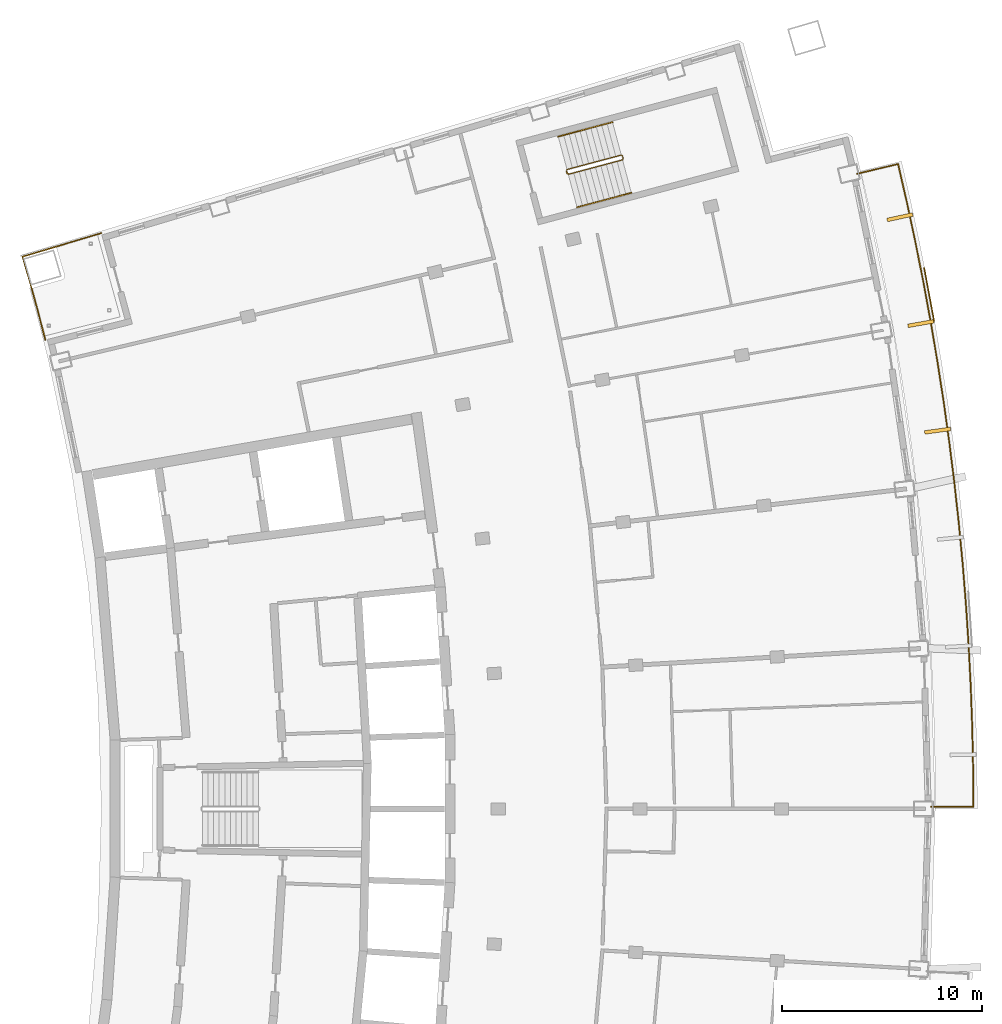
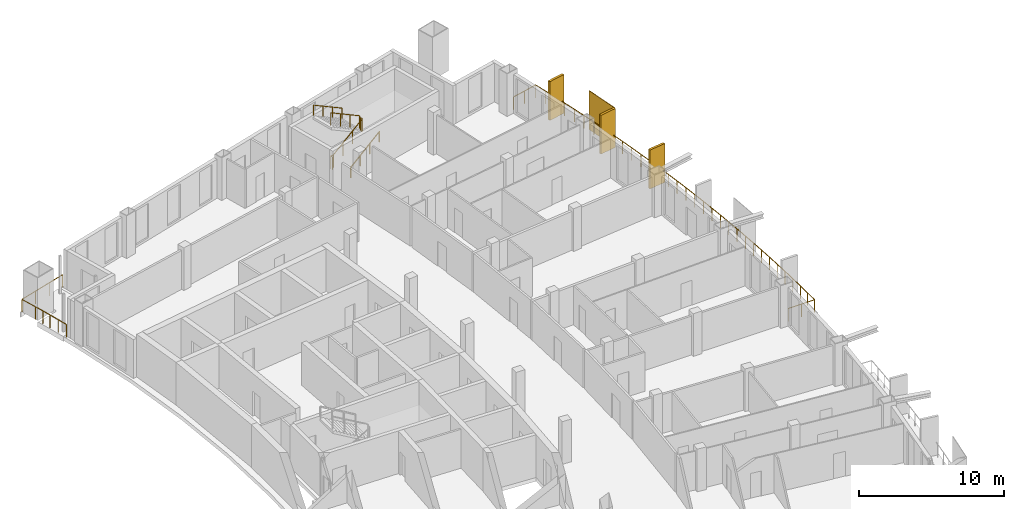
# One storey, part 15 of 15: 5 railings, 4 shading devices.
"""IFC4 building model written with IfcOpenShell, lengths in metres."""

from ifc_helpers import new_model, si_unit, direction, frame, origin, origin_2d, place, context, subcontext, project, spatial, rectangle, extrude, material, layer, layer_set, type_object, element, save


model = new_model("IFC4")

# Units and contexts
model_context = context("Model", 3, precision=1e-05, world=origin(), true_north=direction((0.0, 1.0)))
body_context = subcontext(model_context, "Body", "Model", "MODEL_VIEW")
ifc_project = project(units=[si_unit("LENGTHUNIT", "METRE"), si_unit("AREAUNIT", "SQUARE_METRE"), si_unit("VOLUMEUNIT", "CUBIC_METRE"), si_unit("PLANEANGLEUNIT", "RADIAN"), si_unit("MASSUNIT", "GRAM", prefix="KILO")], contexts=[model_context])

# Site, building, storey
site_placement = place(None, origin())
site = spatial("IfcSite", under=ifc_project, at=site_placement, CompositionType="ELEMENT")
building_placement = place(site_placement, origin())
building = spatial("IfcBuilding", under=site, at=building_placement, Name="Alderwake Tower", CompositionType="ELEMENT")
storey_placement = place(building_placement, frame((0.0, 0.0, 249.199951171875)))
storey = spatial("IfcBuildingStorey", under=building, at=storey_placement, Name="L61", CompositionType="ELEMENT", Elevation=249.199951171875)

# Railings
ifc_material_1 = material(Name="Stainless steel 316 rail and posts", Category="steel")
railing_type_1 = type_object("IfcRailingType", Name="Balcony guard 1100", PredefinedType="GUARDRAIL", material=ifc_material_1)
railing_1_placement = place(storey_placement, frame((57.39990234375, 61.098388671875, 0.0)))
element("IfcRailing", 1, at=railing_1_placement, inside=storey, type_object=railing_type_1, Name="Guard BF07", PredefinedType="GUARDRAIL", context=body_context, shape_type="SweptSolid", body=[
    extrude(rectangle(XDim=0.048095703125, YDim=0.048095703125, at=origin_2d()), frame((0.0, 0.0, 1.076171875), z_axis=(0.999999668894, 0.000813763971, 0.0), x_axis=(-0.000813763971, 0.999999668894, 0.0)), (0.0, 0.0, 1.0), 2.10009765625),
    extrude(rectangle(XDim=0.048095703125, YDim=0.048095703125, at=origin_2d()), frame((2.10009765625, 0.001708984375, 1.076171875), z_axis=(-0.007699847475, 0.999970355735, 0.0), x_axis=(-0.999970355735, -0.007699847475, 0.0)), (0.0, 0.0, 1.0), 1.93408203125),
    extrude(rectangle(XDim=0.048095703125, YDim=0.048095703125, at=origin_2d()), frame((2.085205078125, 1.935791015625, 1.076171875), z_axis=(-0.021840905717, 0.999761458968, 0.0), x_axis=(-0.999761458968, -0.021840905717, 0.0)), (0.0, 0.0, 1.0), 2.034423828125),
    extrude(rectangle(XDim=0.048095703125, YDim=0.048095703125, at=origin_2d()), frame((2.040771484375, 3.9697265625, 1.076171875), z_axis=(-0.036479066148, 0.999334417366, 0.0), x_axis=(-0.999334417366, -0.036479066148, 0.0)), (0.0, 0.0, 1.0), 2.03466796875),
    extrude(rectangle(XDim=0.048095703125, YDim=0.048095703125, at=origin_2d()), frame((1.966552734375, 6.0029296875, 1.076171875), z_axis=(-0.05100910108, 0.998698188447, 0.0), x_axis=(-0.998698188447, -0.05100910108, 0.0)), (0.0, 0.0, 1.0), 2.0341796875),
    extrude(rectangle(XDim=0.048095703125, YDim=0.048095703125, at=origin_2d()), frame((1.86279296875, 8.034423828125, 1.076171875), z_axis=(-0.065523351264, 0.997851036197, 0.0), x_axis=(-0.997851036197, -0.065523351264, 0.0)), (0.0, 0.0, 1.0), 2.034423828125),
    extrude(rectangle(XDim=0.048095703125, YDim=0.048095703125, at=origin_2d()), frame((1.7294921875, 10.064453125, 1.076171875), z_axis=(-0.080164954989, 0.996781610982, 0.0), x_axis=(-0.996781610982, -0.080164954989, 0.0)), (0.0, 0.0, 1.0), 2.034423828125),
    extrude(rectangle(XDim=0.048095703125, YDim=0.048095703125, at=origin_2d()), frame((1.56640625, 12.09228515625, 1.076171875), z_axis=(-0.094690157844, 0.995506792547, 0.0), x_axis=(-0.995506792547, -0.094690157844, 0.0)), (0.0, 0.0, 1.0), 2.0341796875),
    extrude(rectangle(XDim=0.048095703125, YDim=0.048095703125, at=origin_2d()), frame((1.373779296875, 14.117431640625, 1.076171875), z_axis=(-0.109087913088, 0.994032105728, 0.0), x_axis=(-0.994032105728, -0.109087913088, 0.0)), (0.0, 0.0, 1.0), 2.034423828125),
    extrude(rectangle(XDim=0.048095703125, YDim=0.048095703125, at=origin_2d()), frame((1.15185546875, 16.1396484375, 1.076171875), z_axis=(-0.123606393187, 0.992331325497, 0.0), x_axis=(-0.992331325497, -0.123606393187, 0.0)), (0.0, 0.0, 1.0), 2.034423828125),
    extrude(rectangle(XDim=0.048095703125, YDim=0.048095703125, at=origin_2d()), frame((0.900390625, 18.158447265625, 1.076171875), z_axis=(-0.138127592806, 0.990414442597, 0.0), x_axis=(-0.990414442597, -0.138127592806, 0.0)), (0.0, 0.0, 1.0), 2.034423828125),
    extrude(rectangle(XDim=0.048095703125, YDim=0.048095703125, at=origin_2d()), frame((0.619384765625, 20.17333984375, 1.076171875), z_axis=(-0.152535132968, 0.988298048774, 0.0), x_axis=(-0.988298048774, -0.152535132968, 0.0)), (0.0, 0.0, 1.0), 2.034423828125),
    extrude(rectangle(XDim=0.048095703125, YDim=0.048095703125, at=origin_2d()), frame((0.30908203125, 22.183837890625, 1.076171875), z_axis=(-0.166928302152, 0.985969037009, 0.0), x_axis=(-0.985969037009, -0.166928302152, 0.0)), (0.0, 0.0, 1.0), 2.034423828125),
    extrude(rectangle(XDim=0.048095703125, YDim=0.048095703125, at=origin_2d()), frame((-0.030517578125, 24.189697265625, 1.076171875), z_axis=(-0.181324306286, 0.983423355402, 0.0), x_axis=(-0.983423355402, -0.181324306286, 0.0)), (0.0, 0.0, 1.0), 2.034423828125),
    extrude(rectangle(XDim=0.048095703125, YDim=0.048095703125, at=origin_2d()), frame((-0.3994140625, 26.1904296875, 1.076171875), z_axis=(-0.195631417955, 0.980677494546, 0.0), x_axis=(-0.980677494546, -0.195631417955, 0.0)), (0.0, 0.0, 1.0), 2.0341796875),
    extrude(rectangle(XDim=0.048095703125, YDim=0.048095703125, at=origin_2d()), frame((-0.79736328125, 28.185302734375, 1.076171875), z_axis=(-0.209897885741, 0.977723313398, 0.0), x_axis=(-0.977723313398, -0.209897885741, 0.0)), (0.0, 0.0, 1.0), 2.034423828125),
    extrude(rectangle(XDim=0.048095703125, YDim=0.048095703125, at=origin_2d()), frame((-1.224365234375, 30.17431640625, 1.076171875), z_axis=(-0.223633448533, 0.974673319988, 0.0), x_axis=(-0.974673319988, -0.223633448533, 0.0)), (0.0, 0.0, 1.0), 1.9345703125),
    extrude(rectangle(XDim=0.048095703125, YDim=0.048095703125, at=origin_2d()), frame((-1.656982421875, 32.059814453125, 1.076171875), z_axis=(-0.973069996158, -0.230509831846, 0.0), x_axis=(0.230509831846, -0.973069996158, 0.0)), (0.0, 0.0, 1.0), 2.100341796875),
    extrude(rectangle(XDim=0.0419921875, YDim=0.0419921875, at=origin_2d()), frame((0.0, 0.0, 0.0), z_axis=(0.0, 0.0, 1.0), x_axis=(0.999999668894, 0.000813763971, 0.0)), (0.0, 0.0, 1.0), 1.052001953125),
    extrude(rectangle(XDim=0.0419921875, YDim=0.0419921875, at=origin_2d()), frame((1.050048828125, 0.0009765625, 0.0), z_axis=(0.0, 0.0, 1.0), x_axis=(0.999999668894, 0.000813763971, 0.0)), (0.0, 0.0, 1.0), 1.052001953125),
    extrude(rectangle(XDim=0.0419921875, YDim=0.0419921875, at=origin_2d()), frame((2.10009765625, 0.001708984375, 0.0), z_axis=(0.0, 0.0, 1.0), x_axis=(-0.007699847475, 0.999970355735, 0.0)), (0.0, 0.0, 1.0), 1.052001953125),
    extrude(rectangle(XDim=0.0419921875, YDim=0.0419921875, at=origin_2d()), frame((2.0927734375, 0.96875, 0.0), z_axis=(0.0, 0.0, 1.0), x_axis=(-0.007699847475, 0.999970355735, 0.0)), (0.0, 0.0, 1.0), 1.052001953125),
    extrude(rectangle(XDim=0.0419921875, YDim=0.0419921875, at=origin_2d()), frame((2.085205078125, 1.935791015625, 0.0), z_axis=(0.0, 0.0, 1.0), x_axis=(-0.021840905717, 0.999761458968, 0.0)), (0.0, 0.0, 1.0), 1.052001953125),
    extrude(rectangle(XDim=0.0419921875, YDim=0.0419921875, at=origin_2d()), frame((2.06298828125, 2.95263671875, 0.0), z_axis=(0.0, 0.0, 1.0), x_axis=(-0.021840905717, 0.999761458968, 0.0)), (0.0, 0.0, 1.0), 1.052001953125),
    extrude(rectangle(XDim=0.0419921875, YDim=0.0419921875, at=origin_2d()), frame((2.040771484375, 3.9697265625, 0.0), z_axis=(0.0, 0.0, 1.0), x_axis=(-0.036479066148, 0.999334417366, 0.0)), (0.0, 0.0, 1.0), 1.052001953125),
    extrude(rectangle(XDim=0.0419921875, YDim=0.0419921875, at=origin_2d()), frame((2.003662109375, 4.986328125, 0.0), z_axis=(0.0, 0.0, 1.0), x_axis=(-0.036479066148, 0.999334417366, 0.0)), (0.0, 0.0, 1.0), 1.052001953125),
    extrude(rectangle(XDim=0.0419921875, YDim=0.0419921875, at=origin_2d()), frame((1.966552734375, 6.0029296875, 0.0), z_axis=(0.0, 0.0, 1.0), x_axis=(-0.05100910108, 0.998698188447, 0.0)), (0.0, 0.0, 1.0), 1.052001953125),
    extrude(rectangle(XDim=0.0419921875, YDim=0.0419921875, at=origin_2d()), frame((1.91455078125, 7.0185546875, 0.0), z_axis=(0.0, 0.0, 1.0), x_axis=(-0.05100910108, 0.998698188447, 0.0)), (0.0, 0.0, 1.0), 1.052001953125),
    extrude(rectangle(XDim=0.0419921875, YDim=0.0419921875, at=origin_2d()), frame((1.86279296875, 8.034423828125, 0.0), z_axis=(0.0, 0.0, 1.0), x_axis=(-0.065523351264, 0.997851036197, 0.0)), (0.0, 0.0, 1.0), 1.052001953125),
    extrude(rectangle(XDim=0.0419921875, YDim=0.0419921875, at=origin_2d()), frame((1.796142578125, 9.04931640625, 0.0), z_axis=(0.0, 0.0, 1.0), x_axis=(-0.065523351264, 0.997851036197, 0.0)), (0.0, 0.0, 1.0), 1.052001953125),
    extrude(rectangle(XDim=0.0419921875, YDim=0.0419921875, at=origin_2d()), frame((1.7294921875, 10.064453125, 0.0), z_axis=(0.0, 0.0, 1.0), x_axis=(-0.080164954989, 0.996781610982, 0.0)), (0.0, 0.0, 1.0), 1.052001953125),
    extrude(rectangle(XDim=0.0419921875, YDim=0.0419921875, at=origin_2d()), frame((1.64794921875, 11.078369140625, 0.0), z_axis=(0.0, 0.0, 1.0), x_axis=(-0.080164954989, 0.996781610982, 0.0)), (0.0, 0.0, 1.0), 1.052001953125),
    extrude(rectangle(XDim=0.0419921875, YDim=0.0419921875, at=origin_2d()), frame((1.56640625, 12.09228515625, 0.0), z_axis=(0.0, 0.0, 1.0), x_axis=(-0.094690157844, 0.995506792547, 0.0)), (0.0, 0.0, 1.0), 1.052001953125),
    extrude(rectangle(XDim=0.0419921875, YDim=0.0419921875, at=origin_2d()), frame((1.47021484375, 13.10498046875, 0.0), z_axis=(0.0, 0.0, 1.0), x_axis=(-0.094690157844, 0.995506792547, 0.0)), (0.0, 0.0, 1.0), 1.052001953125),
    extrude(rectangle(XDim=0.0419921875, YDim=0.0419921875, at=origin_2d()), frame((1.373779296875, 14.117431640625, 0.0), z_axis=(0.0, 0.0, 1.0), x_axis=(-0.109087913088, 0.994032105728, 0.0)), (0.0, 0.0, 1.0), 1.052001953125),
    extrude(rectangle(XDim=0.0419921875, YDim=0.0419921875, at=origin_2d()), frame((1.2626953125, 15.12841796875, 0.0), z_axis=(0.0, 0.0, 1.0), x_axis=(-0.109087913088, 0.994032105728, 0.0)), (0.0, 0.0, 1.0), 1.052001953125),
    extrude(rectangle(XDim=0.0419921875, YDim=0.0419921875, at=origin_2d()), frame((1.15185546875, 16.1396484375, 0.0), z_axis=(0.0, 0.0, 1.0), x_axis=(-0.123606393187, 0.992331325497, 0.0)), (0.0, 0.0, 1.0), 1.052001953125),
    extrude(rectangle(XDim=0.0419921875, YDim=0.0419921875, at=origin_2d()), frame((1.026123046875, 17.14892578125, 0.0), z_axis=(0.0, 0.0, 1.0), x_axis=(-0.123606393187, 0.992331325497, 0.0)), (0.0, 0.0, 1.0), 1.052001953125),
    extrude(rectangle(XDim=0.0419921875, YDim=0.0419921875, at=origin_2d()), frame((0.900390625, 18.158447265625, 0.0), z_axis=(0.0, 0.0, 1.0), x_axis=(-0.138127592806, 0.990414442597, 0.0)), (0.0, 0.0, 1.0), 1.052001953125),
    extrude(rectangle(XDim=0.0419921875, YDim=0.0419921875, at=origin_2d()), frame((0.759765625, 19.166015625, 0.0), z_axis=(0.0, 0.0, 1.0), x_axis=(-0.138127592806, 0.990414442597, 0.0)), (0.0, 0.0, 1.0), 1.052001953125),
    extrude(rectangle(XDim=0.0419921875, YDim=0.0419921875, at=origin_2d()), frame((0.619384765625, 20.17333984375, 0.0), z_axis=(0.0, 0.0, 1.0), x_axis=(-0.152535132968, 0.988298048774, 0.0)), (0.0, 0.0, 1.0), 1.052001953125),
    extrude(rectangle(XDim=0.0419921875, YDim=0.0419921875, at=origin_2d()), frame((0.46435546875, 21.1787109375, 0.0), z_axis=(0.0, 0.0, 1.0), x_axis=(-0.152535132968, 0.988298048774, 0.0)), (0.0, 0.0, 1.0), 1.052001953125),
    extrude(rectangle(XDim=0.0419921875, YDim=0.0419921875, at=origin_2d()), frame((0.30908203125, 22.183837890625, 0.0), z_axis=(0.0, 0.0, 1.0), x_axis=(-0.166928302152, 0.985969037009, 0.0)), (0.0, 0.0, 1.0), 1.052001953125),
    extrude(rectangle(XDim=0.0419921875, YDim=0.0419921875, at=origin_2d()), frame((0.13916015625, 23.186767578125, 0.0), z_axis=(0.0, 0.0, 1.0), x_axis=(-0.166928302152, 0.985969037009, 0.0)), (0.0, 0.0, 1.0), 1.052001953125),
    extrude(rectangle(XDim=0.0419921875, YDim=0.0419921875, at=origin_2d()), frame((-0.030517578125, 24.189697265625, 0.0), z_axis=(0.0, 0.0, 1.0), x_axis=(-0.181324306286, 0.983423355402, 0.0)), (0.0, 0.0, 1.0), 1.052001953125),
    extrude(rectangle(XDim=0.0419921875, YDim=0.0419921875, at=origin_2d()), frame((-0.21484375, 25.18994140625, 0.0), z_axis=(0.0, 0.0, 1.0), x_axis=(-0.181324306286, 0.983423355402, 0.0)), (0.0, 0.0, 1.0), 1.052001953125),
    extrude(rectangle(XDim=0.0419921875, YDim=0.0419921875, at=origin_2d()), frame((-0.3994140625, 26.1904296875, 0.0), z_axis=(0.0, 0.0, 1.0), x_axis=(-0.195631417955, 0.980677494546, 0.0)), (0.0, 0.0, 1.0), 1.052001953125),
    extrude(rectangle(XDim=0.0419921875, YDim=0.0419921875, at=origin_2d()), frame((-0.598388671875, 27.18798828125, 0.0), z_axis=(0.0, 0.0, 1.0), x_axis=(-0.195631417955, 0.980677494546, 0.0)), (0.0, 0.0, 1.0), 1.052001953125),
    extrude(rectangle(XDim=0.0419921875, YDim=0.0419921875, at=origin_2d()), frame((-0.79736328125, 28.185302734375, 0.0), z_axis=(0.0, 0.0, 1.0), x_axis=(-0.209897885741, 0.977723313398, 0.0)), (0.0, 0.0, 1.0), 1.052001953125),
    extrude(rectangle(XDim=0.0419921875, YDim=0.0419921875, at=origin_2d()), frame((-1.0107421875, 29.1796875, 0.0), z_axis=(0.0, 0.0, 1.0), x_axis=(-0.209897885741, 0.977723313398, 0.0)), (0.0, 0.0, 1.0), 1.052001953125),
    extrude(rectangle(XDim=0.0419921875, YDim=0.0419921875, at=origin_2d()), frame((-1.224365234375, 30.17431640625, 0.0), z_axis=(0.0, 0.0, 1.0), x_axis=(-0.223633448533, 0.974673319988, 0.0)), (0.0, 0.0, 1.0), 1.052001953125),
    extrude(rectangle(XDim=0.0419921875, YDim=0.0419921875, at=origin_2d()), frame((-1.440673828125, 31.1171875, 0.0), z_axis=(0.0, 0.0, 1.0), x_axis=(-0.223633448533, 0.974673319988, 0.0)), (0.0, 0.0, 1.0), 1.052001953125),
    extrude(rectangle(XDim=0.0419921875, YDim=0.0419921875, at=origin_2d()), frame((-1.656982421875, 32.059814453125, 0.0), z_axis=(0.0, 0.0, 1.0), x_axis=(-0.973069996158, -0.230509831846, 0.0)), (0.0, 0.0, 1.0), 1.052001953125),
    extrude(rectangle(XDim=0.0419921875, YDim=0.0419921875, at=origin_2d()), frame((-2.6787109375, 31.81787109375, 0.0), z_axis=(0.0, 0.0, 1.0), x_axis=(-0.973069996158, -0.230509831846, 0.0)), (0.0, 0.0, 1.0), 1.052001953125),
    extrude(rectangle(XDim=0.0419921875, YDim=0.0419921875, at=origin_2d()), frame((-3.70068359375, 31.57568359375, 0.0), z_axis=(0.0, 0.0, 1.0), x_axis=(-0.973069996158, -0.230509831846, 0.0)), (0.0, 0.0, 1.0), 1.052001953125),
])
railing_2_placement = place(storey_placement, frame((13.210693359375, 84.387451171875, 0.0)))
element("IfcRailing", 2, at=railing_2_placement, inside=storey, type_object=railing_type_1, Name="Guard terrace RN", PredefinedType="GUARDRAIL", context=body_context, shape_type="SweptSolid", body=[
    extrude(rectangle(XDim=0.048095703125, YDim=0.048095703125, at=origin_2d()), frame((0.0, 0.0, 1.076171875), z_axis=(-0.251385381433, 0.967887075026, 0.0), x_axis=(-0.967887075026, -0.251385381433, 0.0)), (0.0, 0.0, 1.0), 1.6015625),
    extrude(rectangle(XDim=0.048095703125, YDim=0.048095703125, at=origin_2d()), frame((-0.402587890625, 1.550048828125, 1.076171875), z_axis=(-0.266520638672, 0.963829211615, 0.0), x_axis=(-0.963829211615, -0.266520638672, 0.0)), (0.0, 0.0, 1.0), 1.401611328125),
    extrude(rectangle(XDim=0.048095703125, YDim=0.048095703125, at=origin_2d()), frame((-0.776123046875, 2.90087890625, 1.076171875), z_axis=(-0.280093650878, 0.959972680204, 0.0), x_axis=(-0.959972680204, -0.280093650878, 0.0)), (0.0, 0.0, 1.0), 1.30126953125),
    extrude(rectangle(XDim=0.048095703125, YDim=0.048095703125, at=origin_2d()), frame((-1.140625, 4.150146484375, 1.076171875), z_axis=(0.958066871889, 0.286544706789, 0.0), x_axis=(-0.286544706789, 0.958066871889, 0.0)), (0.0, 0.0, 1.0), 4.099853515625),
    extrude(rectangle(XDim=0.0419921875, YDim=0.0419921875, at=origin_2d()), frame((0.0, 0.0, 0.0), z_axis=(0.0, 0.0, 1.0), x_axis=(-0.251385381433, 0.967887075026, 0.0)), (0.0, 0.0, 1.0), 1.052001953125),
    extrude(rectangle(XDim=0.0419921875, YDim=0.0419921875, at=origin_2d()), frame((-0.201171875, 0.77490234375, 0.0), z_axis=(0.0, 0.0, 1.0), x_axis=(-0.251385381433, 0.967887075026, 0.0)), (0.0, 0.0, 1.0), 1.052001953125),
    extrude(rectangle(XDim=0.0419921875, YDim=0.0419921875, at=origin_2d()), frame((-0.402587890625, 1.550048828125, 0.0), z_axis=(0.0, 0.0, 1.0), x_axis=(-0.266520638672, 0.963829211615, 0.0)), (0.0, 0.0, 1.0), 1.052001953125),
    extrude(rectangle(XDim=0.0419921875, YDim=0.0419921875, at=origin_2d()), frame((-0.58935546875, 2.2255859375, 0.0), z_axis=(0.0, 0.0, 1.0), x_axis=(-0.266520638672, 0.963829211615, 0.0)), (0.0, 0.0, 1.0), 1.052001953125),
    extrude(rectangle(XDim=0.0419921875, YDim=0.0419921875, at=origin_2d()), frame((-0.776123046875, 2.90087890625, 0.0), z_axis=(0.0, 0.0, 1.0), x_axis=(-0.280093650878, 0.959972680204, 0.0)), (0.0, 0.0, 1.0), 1.052001953125),
    extrude(rectangle(XDim=0.0419921875, YDim=0.0419921875, at=origin_2d()), frame((-1.140625, 4.150146484375, 0.0), z_axis=(0.0, 0.0, 1.0), x_axis=(0.958066871889, 0.286544706789, 0.0)), (0.0, 0.0, 1.0), 1.052001953125),
    extrude(rectangle(XDim=0.0419921875, YDim=0.0419921875, at=origin_2d()), frame((0.168701171875, 4.541748046875, 0.0), z_axis=(0.0, 0.0, 1.0), x_axis=(0.958066871889, 0.286544706789, 0.0)), (0.0, 0.0, 1.0), 1.052001953125),
    extrude(rectangle(XDim=0.0419921875, YDim=0.0419921875, at=origin_2d()), frame((1.47802734375, 4.933349609375, 0.0), z_axis=(0.0, 0.0, 1.0), x_axis=(0.958066871889, 0.286544706789, 0.0)), (0.0, 0.0, 1.0), 1.052001953125),
    extrude(rectangle(XDim=0.0419921875, YDim=0.0419921875, at=origin_2d()), frame((2.787353515625, 5.324951171875, 0.0), z_axis=(0.0, 0.0, 1.0), x_axis=(0.958066871889, 0.286544706789, 0.0)), (0.0, 0.0, 1.0), 1.052001953125),
])

# Shading devices
ifc_material_2 = material(Name="Bronze anodised aluminium", Category="aluminium")
ifc_layer_1 = layer(ifc_material_2, 0.179931640625)
ifc_layer_set_1 = layer_set([ifc_layer_1], Name="Facade fin 1300")
shading_device_type_1 = type_object("IfcShadingDeviceType", Name="Facade fin 1300", PredefinedType="USERDEFINED", material=ifc_layer_set_1)
for number, where, z_axis, x_axis, name in (
    (3, (57.714599609375, 79.859619140625, 0.0), (0.0, 0.0, 1.0), (0.990752577235, 0.135680988728, 0.0), "Fin"),
    (4, (56.876953125, 85.200927734375, 0.0), (0.0, 0.0, 1.0), (0.984726421654, 0.174108800747, 0.0), "Fin"),
    (5, (55.832275390625, 90.505859375, 0.0), (0.0, 0.0, 1.0), (0.977210363881, 0.212273184185, 0.0), "Fin"),
):
    element("IfcShadingDevice", number, at=place(storey_placement, frame(where, z_axis=z_axis, x_axis=x_axis)), inside=storey, type_object=shading_device_type_1, Name=name, ObjectType="FIN", PredefinedType="USERDEFINED", context=body_context, shape_type="SweptSolid", body=[
        extrude(rectangle(XDim=1.300048828125, YDim=0.179931640625, at=origin_2d()), origin(), (0.0, 0.0, 1.0), 3.280029296875),
    ])
ifc_material_3 = material(Name="Perforated bronze anodised aluminium", Category="aluminium")
ifc_layer_2 = layer(ifc_material_3, 0.050048828125)
ifc_layer_set_2 = layer_set([ifc_layer_2], Name="Perforated screen panel")
shading_device_type_2 = type_object("IfcShadingDeviceType", Name="Perforated screen panel", PredefinedType="USERDEFINED", material=ifc_layer_set_2)
shading_device_placement = place(storey_placement, frame((57.29296875, 86.650390625, 0.0), z_axis=(0.0, 0.0, 1.0), x_axis=(0.982991488043, 0.183651121519, 0.0)))
element("IfcShadingDevice", 6, at=shading_device_placement, inside=storey, type_object=shading_device_type_2, Name="Screen panel", ObjectType="SCREEN", PredefinedType="USERDEFINED", context=body_context, shape_type="SweptSolid", body=[
    extrude(rectangle(XDim=0.050048828125, YDim=2.709716796875, at=origin_2d()), origin(), (0.0, 0.0, 1.0), 3.280029296875),
])

# Railings
ifc_material_4 = material(Name="Stainless steel guard", Category="steel")
railing_type_2 = type_object("IfcRailingType", Name="Stair guard 1100", PredefinedType="GUARDRAIL", material=ifc_material_4)
railing_3_placement = place(storey_placement, frame((39.23291015625, 92.6806640625, 0.0)))
element("IfcRailing", 7, at=railing_3_placement, inside=storey, type_object=railing_type_2, Name="L61 ST-A stair guard 1", PredefinedType="GUARDRAIL", context=body_context, shape_type="SweptSolid", body=[
    extrude(rectangle(XDim=0.048095703125, YDim=0.048095703125, at=origin_2d()), frame((0.0, 0.0, 1.076171875), z_axis=(-0.257055032184, 0.966396766566, 0.0), x_axis=(-0.966396766566, -0.257055032184, 0.0)), (0.0, 0.0, 1.0), 0.150146484375),
    extrude(rectangle(XDim=0.048095703125, YDim=0.048095703125, at=origin_2d()), frame((-0.03857421875, 0.14501953125, 1.076171875), z_axis=(0.379370725808, -0.685464465458, 0.621463047167), x_axis=(0.874937996095, 0.484234966715, 0.0)), (0.0, 0.0, 1.0), 0.26318359375),
    extrude(rectangle(XDim=0.048095703125, YDim=0.048095703125, at=origin_2d()), frame((0.061279296875, -0.035400390625, 1.23974609375), z_axis=(0.834258940753, 0.22222815314, 0.504605457487), x_axis=(-0.257402139082, 0.966304371715, 0.0)), (0.0, 0.0, 1.0), 3.2431640625),
    extrude(rectangle(XDim=0.048095703125, YDim=0.048095703125, at=origin_2d()), frame((2.766845703125, 0.685302734375, 2.8759765625), z_axis=(0.500220121494, 0.865898279276, 0.0), x_axis=(-0.865898279276, 0.500220121494, 0.0)), (0.0, 0.0, 1.0), 0.07080078125),
    extrude(rectangle(XDim=0.048095703125, YDim=0.048095703125, at=origin_2d()), frame((2.80224609375, 0.74658203125, 2.8759765625), z_axis=(-0.257459803502, 0.966289009345, 0.0), x_axis=(-0.966289009345, -0.257459803502, 0.0)), (0.0, 0.0, 1.0), 0.14990234375),
    extrude(rectangle(XDim=0.048095703125, YDim=0.048095703125, at=origin_2d()), frame((2.763671875, 0.891357421875, 2.8759765625), z_axis=(-0.34252489212, 0.200034536998, 0.917966710881), x_axis=(-0.504300490226, -0.863528236688, 0.0)), (0.0, 0.0, 1.0), 0.17822265625),
    extrude(rectangle(XDim=0.048095703125, YDim=0.048095703125, at=origin_2d()), frame((2.70263671875, 0.927001953125, 3.03955078125), z_axis=(-0.834281824786, -0.222214197128, 0.504573768072), x_axis=(0.257380452725, -0.966310148221, 0.0)), (0.0, 0.0, 1.0), 3.2431640625),
    extrude(rectangle(XDim=0.0419921875, YDim=0.0419921875, at=origin_2d()), frame((0.0, 0.0, 0.0), z_axis=(0.0, 0.0, 1.0), x_axis=(-0.257055032184, 0.966396766566, 0.0)), (0.0, 0.0, 1.0), 1.052001953125),
    extrude(rectangle(XDim=0.0419921875, YDim=0.0419921875, at=origin_2d()), frame((-0.03857421875, 0.14501953125, 0.0), z_axis=(0.0, 0.0, 1.0), x_axis=(0.484234966715, -0.874937996095, 0.0)), (0.0, 0.0, 1.0), 1.052001953125),
    extrude(rectangle(XDim=0.0419921875, YDim=0.0419921875, at=origin_2d()), frame((0.061279296875, -0.035400390625, 0.16357421875), z_axis=(0.0, 0.0, 1.0), x_axis=(0.966304371715, 0.257402139082, 0.0)), (0.0, 0.0, 1.0), 1.052001953125),
    extrude(rectangle(XDim=0.0419921875, YDim=0.0419921875, at=origin_2d()), frame((0.963134765625, 0.204833984375, 0.708984375), z_axis=(0.0, 0.0, 1.0), x_axis=(0.966304371715, 0.257402139082, 0.0)), (0.0, 0.0, 1.0), 1.052001953125),
    extrude(rectangle(XDim=0.0419921875, YDim=0.0419921875, at=origin_2d()), frame((1.864990234375, 0.445068359375, 1.254638671875), z_axis=(0.0, 0.0, 1.0), x_axis=(0.966304371715, 0.257402139082, 0.0)), (0.0, 0.0, 1.0), 1.052001953125),
    extrude(rectangle(XDim=0.0419921875, YDim=0.0419921875, at=origin_2d()), frame((2.766845703125, 0.685302734375, 1.800048828125), z_axis=(0.0, 0.0, 1.0), x_axis=(0.500220121494, 0.865898279276, 0.0)), (0.0, 0.0, 1.0), 1.052001953125),
    extrude(rectangle(XDim=0.0419921875, YDim=0.0419921875, at=origin_2d()), frame((2.80224609375, 0.74658203125, 1.800048828125), z_axis=(0.0, 0.0, 1.0), x_axis=(-0.257459803502, 0.966289009345, 0.0)), (0.0, 0.0, 1.0), 1.052001953125),
    extrude(rectangle(XDim=0.0419921875, YDim=0.0419921875, at=origin_2d()), frame((2.763671875, 0.891357421875, 1.800048828125), z_axis=(0.0, 0.0, 1.0), x_axis=(-0.863528236688, 0.504300490226, 0.0)), (0.0, 0.0, 1.0), 1.052001953125),
    extrude(rectangle(XDim=0.0419921875, YDim=0.0419921875, at=origin_2d()), frame((2.70263671875, 0.927001953125, 1.963623046875), z_axis=(0.0, 0.0, 1.0), x_axis=(-0.966310148221, -0.257380452725, 0.0)), (0.0, 0.0, 1.0), 1.052001953125),
    extrude(rectangle(XDim=0.0419921875, YDim=0.0419921875, at=origin_2d()), frame((1.80078125, 0.686767578125, 2.509033203125), z_axis=(0.0, 0.0, 1.0), x_axis=(-0.966310148221, -0.257380452725, 0.0)), (0.0, 0.0, 1.0), 1.052001953125),
    extrude(rectangle(XDim=0.0419921875, YDim=0.0419921875, at=origin_2d()), frame((0.898681640625, 0.446533203125, 3.0546875), z_axis=(0.0, 0.0, 1.0), x_axis=(-0.966310148221, -0.257380452725, 0.0)), (0.0, 0.0, 1.0), 1.052001953125),
    extrude(rectangle(XDim=0.0419921875, YDim=0.0419921875, at=origin_2d()), frame((-0.003173828125, 0.206298828125, 3.60009765625), z_axis=(0.0, 0.0, 1.0), x_axis=(-0.966310148221, -0.257380452725, 0.0)), (0.0, 0.0, 1.0), 1.052001953125),
])
ifc_material_5 = material(Name="Stainless steel handrail", Category="steel")
railing_type_3 = type_object("IfcRailingType", Name="Stair handrail 900", PredefinedType="HANDRAIL", material=ifc_material_5)
railing_4_placement = place(storey_placement, frame((39.731689453125, 91.002685546875, 0.16357421875)))
element("IfcRailing", 8, at=railing_4_placement, inside=storey, type_object=railing_type_3, Name="L61 ST-A stair handrail 1", PredefinedType="HANDRAIL", context=body_context, shape_type="SweptSolid", body=[
    extrude(rectangle(XDim=0.048095703125, YDim=0.048095703125, at=origin_2d()), frame((0.0, 0.0, 0.8759765625), z_axis=(0.834258940753, 0.22222815314, 0.504605457487), x_axis=(-0.257402139082, 0.966304371715, 0.0)), (0.0, 0.0, 1.0), 3.2431640625),
    extrude(rectangle(XDim=0.0419921875, YDim=0.0419921875, at=origin_2d()), frame((0.0, 0.0, 0.0), z_axis=(0.0, 0.0, 1.0), x_axis=(0.966304371715, 0.257402139082, 0.0)), (0.0, 0.0, 1.0), 0.851806640625),
    extrude(rectangle(XDim=0.0419921875, YDim=0.0419921875, at=origin_2d()), frame((0.90185546875, 0.240234375, 0.54541015625), z_axis=(0.0, 0.0, 1.0), x_axis=(0.966304371715, 0.257402139082, 0.0)), (0.0, 0.0, 1.0), 0.851806640625),
    extrude(rectangle(XDim=0.0419921875, YDim=0.0419921875, at=origin_2d()), frame((1.8037109375, 0.48046875, 1.091064453125), z_axis=(0.0, 0.0, 1.0), x_axis=(0.966304371715, 0.257402139082, 0.0)), (0.0, 0.0, 1.0), 0.851806640625),
    extrude(rectangle(XDim=0.0419921875, YDim=0.0419921875, at=origin_2d()), frame((2.70556640625, 0.720703125, 1.636474609375), z_axis=(0.0, 0.0, 1.0), x_axis=(0.966304371715, 0.257402139082, 0.0)), (0.0, 0.0, 1.0), 0.851806640625),
])
railing_5_placement = place(storey_placement, frame((41.497802734375, 95.250244140625, 1.963623046875)))
element("IfcRailing", 9, at=railing_5_placement, inside=storey, type_object=railing_type_3, Name="L61 ST-A stair handrail 2", PredefinedType="HANDRAIL", context=body_context, shape_type="SweptSolid", body=[
    extrude(rectangle(XDim=0.048095703125, YDim=0.048095703125, at=origin_2d()), frame((0.0, 0.0, 0.8759765625), z_axis=(-0.834258940753, -0.22222815314, 0.504605457487), x_axis=(0.257402139082, -0.966304371715, 0.0)), (0.0, 0.0, 1.0), 3.2431640625),
    extrude(rectangle(XDim=0.0419921875, YDim=0.0419921875, at=origin_2d()), frame((0.0, 0.0, 0.0), z_axis=(0.0, 0.0, 1.0), x_axis=(-0.966304371715, -0.257402139082, 0.0)), (0.0, 0.0, 1.0), 0.851806640625),
    extrude(rectangle(XDim=0.0419921875, YDim=0.0419921875, at=origin_2d()), frame((-0.90185546875, -0.240234375, 0.54541015625), z_axis=(0.0, 0.0, 1.0), x_axis=(-0.966304371715, -0.257402139082, 0.0)), (0.0, 0.0, 1.0), 0.851806640625),
    extrude(rectangle(XDim=0.0419921875, YDim=0.0419921875, at=origin_2d()), frame((-1.8037109375, -0.48046875, 1.091064453125), z_axis=(0.0, 0.0, 1.0), x_axis=(-0.966304371715, -0.257402139082, 0.0)), (0.0, 0.0, 1.0), 0.851806640625),
    extrude(rectangle(XDim=0.0419921875, YDim=0.0419921875, at=origin_2d()), frame((-2.70556640625, -0.720703125, 1.636474609375), z_axis=(0.0, 0.0, 1.0), x_axis=(-0.966304371715, -0.257402139082, 0.0)), (0.0, 0.0, 1.0), 0.851806640625),
])

save(model, "model.ifc")
